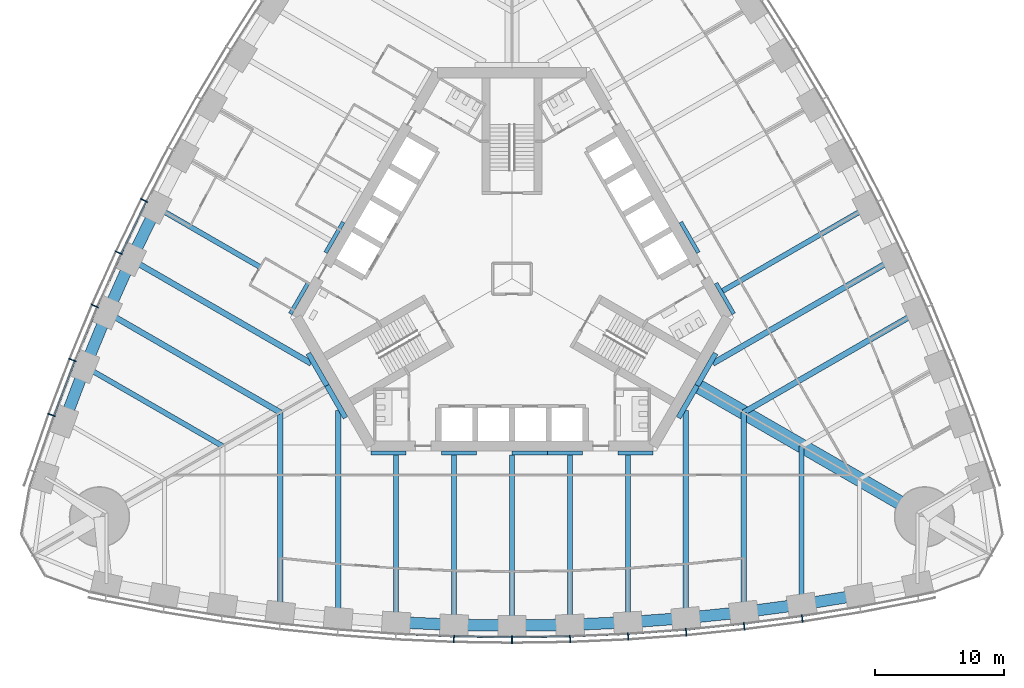
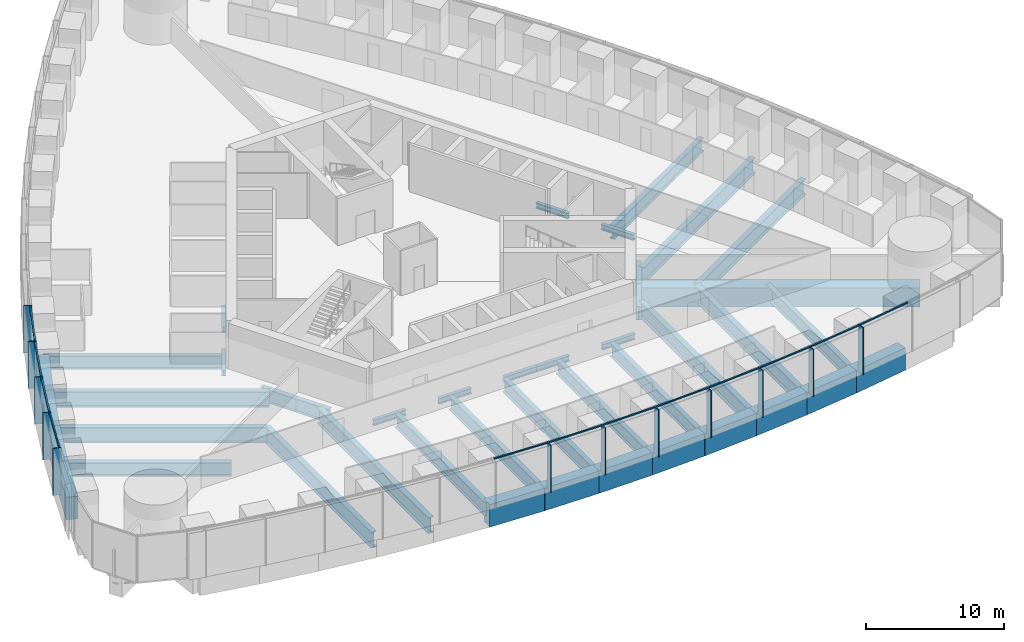
# One storey, part 3 of 18: 43 beams, 24 members, 2 elements without a shape of their own.
"""IFC4 building model written with IfcOpenShell, lengths in metres."""

from ifc_helpers import new_model, si_unit, direction, frame, origin, origin_2d, place, context, subcontext, project, spatial, rectangle, i_section, extrude, material, material_profile, profile_set, type_object, element, aggregate, save


model = new_model("IFC4")

# Units and contexts
model_context = context("Model", 3, precision=1e-05, world=origin(), true_north=direction((0.0, 1.0)))
body_context = subcontext(model_context, "Body", "Model", "MODEL_VIEW")
ifc_project = project(units=[si_unit("LENGTHUNIT", "METRE"), si_unit("AREAUNIT", "SQUARE_METRE"), si_unit("VOLUMEUNIT", "CUBIC_METRE"), si_unit("PLANEANGLEUNIT", "RADIAN"), si_unit("MASSUNIT", "GRAM", prefix="KILO")], contexts=[model_context])

# Site, building, storey
site_placement = place(None, origin())
site = spatial("IfcSite", under=ifc_project, at=site_placement, CompositionType="ELEMENT")
building_placement = place(site_placement, origin())
building = spatial("IfcBuilding", under=site, at=building_placement, Name="Trefoil Bronze Tower", CompositionType="ELEMENT")
storey_placement = place(building_placement, frame((0.0, 0.0, 62.699951171875)))
storey = spatial("IfcBuildingStorey", under=building, at=storey_placement, Name="L14", CompositionType="ELEMENT", Elevation=62.699951171875)

# Curtain wall, members
ifc_material_1 = material(Name="Tinted solar-control glass", Category="glass")
curtain_wall_type = type_object("IfcCurtainWallType", Name="Bronze office curtain wall", PredefinedType="USERDEFINED", material=ifc_material_1)
curtain_wall_1_placement = place(storey_placement, origin())
curtain_wall_1 = element("IfcCurtainWall", 1, at=curtain_wall_1_placement, inside=storey, type_object=curtain_wall_type, Name="CW-A L14 F1", ObjectType="CURTAIN WALL", PredefinedType="USERDEFINED")
ifc_material_2 = material(Name="Bronze-finish aluminium", Category="aluminium")
ifc_material_profile_1 = material_profile(ifc_material_2, rectangle(XDim=0.60009765625, YDim=0.080078125, at=origin_2d()), Name="CW-A mullion")
ifc_profile_set_1 = profile_set([ifc_material_profile_1], Name="Bronze-finish aluminium")
member_type_1 = type_object("IfcMemberType", Name="Bronze office curtain wall mullion", PredefinedType="MULLION", material=ifc_profile_set_1)
member_1_placement = place(storey_placement, frame((-4.5087890625, -27.9833984375, 0.0), z_axis=(0.0, 0.0, 1.0), x_axis=(0.029021671584, 0.999578782577, 0.0)))
member_1 = element("IfcMember", 2, at=member_1_placement, type_object=member_type_1, Name="CW-A L14 F1 mullion 8", PredefinedType="MULLION", context=body_context, shape_type="SweptSolid", body=[
    extrude(rectangle(XDim=0.60009765625, YDim=0.080078125, at=origin_2d()), origin(), (0.0, 0.0, 1.0), 4.179931640625),
])
member_2_placement = place(storey_placement, frame((0.0, -28.048828125, 0.0), z_axis=(0.0, 0.0, 1.0), x_axis=(0.0, 1.0, 0.0)))
member_2 = element("IfcMember", 3, at=member_2_placement, type_object=member_type_1, Name="CW-A L14 F1 mullion 9", PredefinedType="MULLION", context=body_context, shape_type="SweptSolid", body=[
    extrude(rectangle(XDim=0.60009765625, YDim=0.080078125, at=origin_2d()), origin(), (0.0, 0.0, 1.0), 4.179931640625),
])
member_3_placement = place(storey_placement, frame((4.5087890625, -27.9833984375, 0.0), z_axis=(0.0, 0.0, 1.0), x_axis=(-0.029021671584, 0.999578782577, 0.0)))
member_3 = element("IfcMember", 4, at=member_3_placement, type_object=member_type_1, Name="CW-A L14 F1 mullion 10", PredefinedType="MULLION", context=body_context, shape_type="SweptSolid", body=[
    extrude(rectangle(XDim=0.60009765625, YDim=0.080078125, at=origin_2d()), origin(), (0.0, 0.0, 1.0), 4.179931640625),
])
member_4_placement = place(storey_placement, frame((9.017333984375, -27.786865234375, 0.0), z_axis=(0.0, 0.0, 1.0), x_axis=(-0.058043374207, 0.998314062162, 0.0)))
member_4 = element("IfcMember", 5, at=member_4_placement, type_object=member_type_1, Name="CW-A L14 F1 mullion 11", PredefinedType="MULLION", context=body_context, shape_type="SweptSolid", body=[
    extrude(rectangle(XDim=0.60009765625, YDim=0.080078125, at=origin_2d()), origin(), (0.0, 0.0, 1.0), 4.179931640625),
])
member_5_placement = place(storey_placement, frame((13.526123046875, -27.458984375, 0.0), z_axis=(0.0, 0.0, 1.0), x_axis=(-0.087065139456, 0.996202620701, 0.0)))
member_5 = element("IfcMember", 6, at=member_5_placement, type_object=member_type_1, Name="CW-A L14 F1 mullion 12", PredefinedType="MULLION", context=body_context, shape_type="SweptSolid", body=[
    extrude(rectangle(XDim=0.60009765625, YDim=0.080078125, at=origin_2d()), origin(), (0.0, 0.0, 1.0), 4.179931640625),
])
member_6_placement = place(storey_placement, frame((18.034912109375, -26.99853515625, 0.0), z_axis=(0.0, 0.0, 1.0), x_axis=(-0.116086999973, 0.993239048989, 0.0)))
member_6 = element("IfcMember", 7, at=member_6_placement, type_object=member_type_1, Name="CW-A L14 F1 mullion 13", PredefinedType="MULLION", context=body_context, shape_type="SweptSolid", body=[
    extrude(rectangle(XDim=0.60009765625, YDim=0.080078125, at=origin_2d()), origin(), (0.0, 0.0, 1.0), 4.179931640625),
])
member_7_placement = place(storey_placement, frame((22.54345703125, -26.40478515625, 0.0), z_axis=(0.0, 0.0, 1.0), x_axis=(-0.145108990094, 0.989415676546, 0.0)))
member_7 = element("IfcMember", 8, at=member_7_placement, type_object=member_type_1, Name="CW-A L14 F1 mullion 14", PredefinedType="MULLION", context=body_context, shape_type="SweptSolid", body=[
    extrude(rectangle(XDim=0.60009765625, YDim=0.080078125, at=origin_2d()), origin(), (0.0, 0.0, 1.0), 4.179931640625),
])

curtain_wall_2_placement = place(storey_placement, origin())
curtain_wall_2 = element("IfcCurtainWall", 9, at=curtain_wall_2_placement, inside=storey, type_object=curtain_wall_type, Name="CW-A L14 F3", ObjectType="CURTAIN WALL", PredefinedType="USERDEFINED")
member_8_placement = place(storey_placement, frame((-28.57275390625, 6.084228515625, 0.0), z_axis=(0.0, 0.0, 1.0), x_axis=(0.893587025891, -0.448889994497, 0.0)))
member_8 = element("IfcMember", 10, at=member_8_placement, type_object=member_type_1, Name="CW-A L14 F3 mullion 11", PredefinedType="MULLION", context=body_context, shape_type="SweptSolid", body=[
    extrude(rectangle(XDim=0.60009765625, YDim=0.080078125, at=origin_2d()), origin(), (0.0, 0.0, 1.0), 4.179931640625),
])
member_9_placement = place(storey_placement, frame((-30.543212890625, 2.015380859375, 0.0), z_axis=(0.0, 0.0, 1.0), x_axis=(0.906269346572, -0.422700687798, 0.0)))
member_9 = element("IfcMember", 11, at=member_9_placement, type_object=member_type_1, Name="CW-A L14 F3 mullion 12", PredefinedType="MULLION", context=body_context, shape_type="SweptSolid", body=[
    extrude(rectangle(XDim=0.60009765625, YDim=0.080078125, at=origin_2d()), origin(), (0.0, 0.0, 1.0), 4.179931640625),
])
member_10_placement = place(storey_placement, frame((-32.39892578125, -2.119384765625, 0.0), z_axis=(0.0, 0.0, 1.0), x_axis=(0.918213748442, -0.396085233469, 0.0)))
member_10 = element("IfcMember", 12, at=member_10_placement, type_object=member_type_1, Name="CW-A L14 F3 mullion 13", PredefinedType="MULLION", context=body_context, shape_type="SweptSolid", body=[
    extrude(rectangle(XDim=0.60009765625, YDim=0.080078125, at=origin_2d()), origin(), (0.0, 0.0, 1.0), 4.179931640625),
])
member_11_placement = place(storey_placement, frame((-34.138916015625, -6.32080078125, 0.0), z_axis=(0.0, 0.0, 1.0), x_axis=(0.929413605838, -0.369039766534, 0.0)))
member_11 = element("IfcMember", 13, at=member_11_placement, type_object=member_type_1, Name="CW-A L14 F3 mullion 14", PredefinedType="MULLION", context=body_context, shape_type="SweptSolid", body=[
    extrude(rectangle(XDim=0.60009765625, YDim=0.080078125, at=origin_2d()), origin(), (0.0, 0.0, 1.0), 4.179931640625),
])
member_12_placement = place(storey_placement, frame((-35.761962890625, -10.590087890625, 0.0), z_axis=(0.0, 0.0, 1.0), x_axis=(0.939860248316, -0.341559238839, 0.0)))
member_12 = element("IfcMember", 14, at=member_12_placement, type_object=member_type_1, Name="CW-A L14 F3 mullion 15", PredefinedType="MULLION", context=body_context, shape_type="SweptSolid", body=[
    extrude(rectangle(XDim=0.60009765625, YDim=0.080078125, at=origin_2d()), origin(), (0.0, 0.0, 1.0), 4.179931640625),
])

# Member
ifc_material_3 = material(Name="Bronze-finish aluminium", Category="aluminium")
ifc_material_profile_2 = material_profile(ifc_material_3, rectangle(XDim=0.1201171875, YDim=0.10009765625, at=origin_2d()), Name="CW-A transom")
ifc_profile_set_2 = profile_set([ifc_material_profile_2], Name="Bronze-finish aluminium")
member_type_2 = type_object("IfcMemberType", Name="Bronze office curtain wall transom", PredefinedType="USERDEFINED", material=ifc_profile_set_2)
member_13_placement = place(storey_placement, frame((-8.96435546875, -27.589111328125, 4.130126953125), z_axis=(0.999054074786, -0.043485119914, 0.0), x_axis=(0.043485119914, 0.999054074786, 0.0)))
member_13 = element("IfcMember", 15, at=member_13_placement, type_object=member_type_2, Name="CW-A L14 F1 transom 7", ObjectType="TRANSOM", PredefinedType="USERDEFINED", context=body_context, shape_type="SweptSolid", body=[
    extrude(rectangle(XDim=0.1201171875, YDim=0.10009765625, at=origin_2d()), origin(), (0.0, 0.0, 1.0), 4.424072265625),
])

member_14_placement = place(storey_placement, frame((-4.46142578125, -27.783935546875, 4.130126953125), z_axis=(0.999894497273, -0.014525643658, 0.0), x_axis=(0.014525643658, 0.999894497273, 0.0)))
member_14 = element("IfcMember", 16, at=member_14_placement, type_object=member_type_2, Name="CW-A L14 F1 transom 8", ObjectType="TRANSOM", PredefinedType="USERDEFINED", context=body_context, shape_type="SweptSolid", body=[
    extrude(rectangle(XDim=0.1201171875, YDim=0.10009765625, at=origin_2d()), origin(), (0.0, 0.0, 1.0), 4.42041015625),
])

member_15_placement = place(storey_placement, frame((0.04150390625, -27.84814453125, 4.130126953125), z_axis=(0.999894497273, 0.014525643658, 0.0), x_axis=(-0.014525643658, 0.999894497273, 0.0)))
member_15 = element("IfcMember", 17, at=member_15_placement, type_object=member_type_2, Name="CW-A L14 F1 transom 9", ObjectType="TRANSOM", PredefinedType="USERDEFINED", context=body_context, shape_type="SweptSolid", body=[
    extrude(rectangle(XDim=0.1201171875, YDim=0.10009765625, at=origin_2d()), origin(), (0.0, 0.0, 1.0), 4.42041015625),
])

member_16_placement = place(storey_placement, frame((4.54443359375, -27.781494140625, 4.130126953125), z_axis=(0.999054074786, 0.043485119914, 0.0), x_axis=(-0.043485119914, 0.999054074786, 0.0)))
member_16 = element("IfcMember", 18, at=member_16_placement, type_object=member_type_2, Name="CW-A L14 F1 transom 10", ObjectType="TRANSOM", PredefinedType="USERDEFINED", context=body_context, shape_type="SweptSolid", body=[
    extrude(rectangle(XDim=0.1201171875, YDim=0.10009765625, at=origin_2d()), origin(), (0.0, 0.0, 1.0), 4.424072265625),
])

member_17_placement = place(storey_placement, frame((9.047119140625, -27.584228515625, 4.130126953125), z_axis=(0.997364729945, 0.07255064067, 0.0), x_axis=(-0.07255064067, 0.997364729945, 0.0)))
member_17 = element("IfcMember", 19, at=member_17_placement, type_object=member_type_2, Name="CW-A L14 F1 transom 11", ObjectType="TRANSOM", PredefinedType="USERDEFINED", context=body_context, shape_type="SweptSolid", body=[
    extrude(rectangle(XDim=0.1201171875, YDim=0.10009765625, at=origin_2d()), origin(), (0.0, 0.0, 1.0), 4.431884765625),
])

member_18_placement = place(storey_placement, frame((13.550048828125, -27.25537109375, 4.130126953125), z_axis=(0.994831650915, 0.101538102888, 0.0), x_axis=(-0.101538102888, 0.994831650915, 0.0)))
member_18 = element("IfcMember", 20, at=member_18_placement, type_object=member_type_2, Name="CW-A L14 F1 transom 12", ObjectType="TRANSOM", PredefinedType="USERDEFINED", context=body_context, shape_type="SweptSolid", body=[
    extrude(rectangle(XDim=0.1201171875, YDim=0.10009765625, at=origin_2d()), origin(), (0.0, 0.0, 1.0), 4.443359375),
])

member_19_placement = place(storey_placement, frame((18.052734375, -26.79443359375, 4.130126953125), z_axis=(0.991436581643, 0.13058906761, 0.0), x_axis=(-0.13058906761, 0.991436581643, 0.0)))
member_19 = element("IfcMember", 21, at=member_19_placement, type_object=member_type_2, Name="CW-A L14 F1 transom 13", ObjectType="TRANSOM", PredefinedType="USERDEFINED", context=body_context, shape_type="SweptSolid", body=[
    extrude(rectangle(XDim=0.1201171875, YDim=0.10009765625, at=origin_2d()), origin(), (0.0, 0.0, 1.0), 4.458740234375),
])

member_20_placement = place(storey_placement, frame((22.555419921875, -26.2001953125, 4.130126953125), z_axis=(0.987179401487, 0.159614627398, 0.0), x_axis=(-0.159614627398, 0.987179401487, 0.0)))
member_20 = element("IfcMember", 22, at=member_20_placement, type_object=member_type_2, Name="CW-A L14 F1 transom 14", ObjectType="TRANSOM", PredefinedType="USERDEFINED", context=body_context, shape_type="SweptSolid", body=[
    extrude(rectangle(XDim=0.1201171875, YDim=0.10009765625, at=origin_2d()), origin(), (0.0, 0.0, 1.0), 4.478515625),
])

aggregate(curtain_wall_1, [member_1, member_2, member_3, member_4, member_5, member_6, member_7, member_13, member_14, member_15, member_16, member_17, member_18, member_19, member_20])

member_21_placement = place(storey_placement, frame((-28.412109375, 5.95703125, 4.130126953125), z_axis=(-0.435851763293, -0.900018466719, 0.0), x_axis=(0.900018466719, -0.435851763293, 0.0)))
member_21 = element("IfcMember", 23, at=member_21_placement, type_object=member_type_2, Name="CW-A L14 F3 transom 11", ObjectType="TRANSOM", PredefinedType="USERDEFINED", context=body_context, shape_type="SweptSolid", body=[
    extrude(rectangle(XDim=0.1201171875, YDim=0.10009765625, at=origin_2d()), origin(), (0.0, 0.0, 1.0), 4.431884765625),
])

member_22_placement = place(storey_placement, frame((-30.37890625, 1.89306640625, 4.130126953125), z_axis=(-0.409459746452, -0.912328184392, 0.0), x_axis=(0.912328184392, -0.409459746452, 0.0)))
member_22 = element("IfcMember", 24, at=member_22_placement, type_object=member_type_2, Name="CW-A L14 F3 transom 12", ObjectType="TRANSOM", PredefinedType="USERDEFINED", context=body_context, shape_type="SweptSolid", body=[
    extrude(rectangle(XDim=0.1201171875, YDim=0.10009765625, at=origin_2d()), origin(), (0.0, 0.0, 1.0), 4.443359375),
])

member_23_placement = place(storey_placement, frame((-32.231201171875, -2.23681640625, 4.130126953125), z_axis=(-0.382616149417, -0.923907399151, 0.0), x_axis=(0.923907399151, -0.382616149417, 0.0)))
member_23 = element("IfcMember", 25, at=member_23_placement, type_object=member_type_2, Name="CW-A L14 F3 transom 13", ObjectType="TRANSOM", PredefinedType="USERDEFINED", context=body_context, shape_type="SweptSolid", body=[
    extrude(rectangle(XDim=0.1201171875, YDim=0.10009765625, at=origin_2d()), origin(), (0.0, 0.0, 1.0), 4.458984375),
])

member_24_placement = place(storey_placement, frame((-33.9677734375, -6.433349609375, 4.130126953125), z_axis=(-0.355367327392, -0.934726731522, 0.0), x_axis=(0.934726731522, -0.355367327392, 0.0)))
member_24 = element("IfcMember", 26, at=member_24_placement, type_object=member_type_2, Name="CW-A L14 F3 transom 14", ObjectType="TRANSOM", PredefinedType="USERDEFINED", context=body_context, shape_type="SweptSolid", body=[
    extrude(rectangle(XDim=0.1201171875, YDim=0.10009765625, at=origin_2d()), origin(), (0.0, 0.0, 1.0), 4.478515625),
])

aggregate(curtain_wall_2, [member_8, member_9, member_10, member_11, member_12, member_21, member_22, member_23, member_24])

# Beams
ifc_material_4 = material(Name="Steel C355", Category="steel")
ifc_material_profile_3 = material_profile(ifc_material_4, i_section(OverallWidth=0.300048828125, OverallDepth=0.5, WebThickness=0.014404296875, FlangeThickness=0.028076171875, FilletRadius=0.027099609375, at=origin_2d()), Name="HEB 500")
ifc_profile_set_3 = profile_set([ifc_material_profile_3], Name="Steel C355")
beam_type_1 = type_object("IfcBeamType", Name="Core seat beam HEB 500", PredefinedType="BEAM", material=ifc_profile_set_3)
for number, where, z_axis, x_axis, name in (
    (27, (-10.9697265625, -13.550048828125, -0.449951171875), (1.0, 0.0, 0.0), (0.0, 1.0, 0.0), "Core seat beam F1/-2 L14"),
    (28, (-5.48486328125, -13.550048828125, -0.449951171875), (1.0, 0.0, 0.0), (0.0, 1.0, 0.0), "Core seat beam F1/-1 L14"),
    (29, (0.0, -13.550048828125, -0.449951171875), (1.0, 0.0, 0.0), (0.0, 1.0, 0.0), "Core seat beam F1/+0 L14"),
    (30, (2.742431640625, -13.550048828125, -0.449951171875), (1.0, 0.0, 0.0), (0.0, 1.0, 0.0), "Core seat beam F1/+1 L14"),
    (31, (8.227294921875, -13.550048828125, -0.449951171875), (1.0, 0.0, 0.0), (0.0, 1.0, 0.0), "Core seat beam F1/+2 L14"),
    (32, (17.219482421875, -2.72509765625, -0.449951171875), (-0.500035825175, 0.866004719122, 0.0), (-0.866004719122, -0.500035825175, 0.0), "Core seat beam F2/-2 L14"),
    (33, (14.47705078125, 2.02490234375, -0.449951171875), (-0.499969057507, 0.866043267704, 0.0), (-0.866043267704, -0.499969057507, 0.0), "Core seat beam F2/-1 L14"),
    (34, (-13.10595703125, 4.39990234375, -0.449951171875), (-0.499969057507, -0.866043267704, 0.0), (0.866043267704, -0.499969057507, 0.0), "Core seat beam F3/+1 L14"),
    (35, (-15.84814453125, -0.35009765625, -0.449951171875), (-0.500035825175, -0.866004719122, 0.0), (0.866004719122, -0.500035825175, 0.0), "Core seat beam F3/+2 L14"),
):
    element("IfcBeam", number, at=place(storey_placement, frame(where, z_axis=z_axis, x_axis=x_axis)), inside=storey, type_object=beam_type_1, Name=name, PredefinedType="BEAM", context=body_context, shape_type="SweptSolid", body=[
        extrude(i_section(OverallWidth=0.300048828125, OverallDepth=0.5, WebThickness=0.014404296875, FlangeThickness=0.028076171875, FilletRadius=0.027099609375, at=origin_2d()), origin(), (0.0, 0.0, 1.0), 2.742431640625),
    ])
ifc_material_5 = material(Name="Steel C355", Category="steel")
ifc_material_profile_4 = material_profile(ifc_material_5, i_section(OverallWidth=0.39990234375, OverallDepth=1.199951171875, WebThickness=0.02001953125, FlangeThickness=0.0400390625, FilletRadius=0.010009765625, at=origin_2d()), Name="WPG 1200")
ifc_profile_set_4 = profile_set([ifc_material_profile_4], Name="Steel C355")
beam_type_2 = type_object("IfcBeamType", Name="Core seat beam WPG 1200", PredefinedType="BEAM", material=ifc_profile_set_4)
for number, where, z_axis, x_axis, name in (
    (36, (-14.3759765625, -8.300048828125, -0.800048828125), (0.499995765644, -0.866027848477, 0.0), (0.866027848477, 0.499995765644, 0.0), "Core seat beam F1/-3 L14"),
    (37, (12.9326171875, -10.800048828125, -0.800048828125), (0.499995765644, 0.866027848477, 0.0), (-0.866027848477, 0.499995765644, 0.0), "Core seat beam F1/+3 L14"),
    (38, (14.3759765625, -8.300048828125, -0.800048828125), (0.499995765644, 0.866027848477, 0.0), (-0.866027848477, 0.499995765644, 0.0), "Core seat beam F2/-3 L14"),
    (39, (-15.8193359375, -5.800048828125, -0.800048828125), (0.499995765644, -0.866027848477, 0.0), (0.866027848477, 0.499995765644, 0.0), "Core seat beam F3/+3 L14"),
):
    element("IfcBeam", number, at=place(storey_placement, frame(where, z_axis=z_axis, x_axis=x_axis)), inside=storey, type_object=beam_type_2, Name=name, PredefinedType="BEAM", context=body_context, shape_type="SweptSolid", body=[
        extrude(i_section(OverallWidth=0.39990234375, OverallDepth=1.199951171875, WebThickness=0.02001953125, FlangeThickness=0.0400390625, FilletRadius=0.010009765625, at=origin_2d()), origin(), (0.0, 0.0, 1.0), 2.88671875),
    ])
ifc_material_6 = material(Name="Concrete B80", Category="concrete")
ifc_material_profile_5 = material_profile(ifc_material_6, rectangle(XDim=1.10009765625, YDim=1.699951171875, at=origin_2d()), Name="RC 1100x1700")
ifc_profile_set_5 = profile_set([ifc_material_profile_5], Name="Concrete B80")
beam_type_3 = type_object("IfcBeamType", Name="Corner girder RC 1100x1700", PredefinedType="BEAM", material=ifc_profile_set_5)
beam_1_placement = place(storey_placement, frame((14.202880859375, -8.199951171875, -1.050048828125), z_axis=(0.866023947468, -0.500002522405, 0.0), x_axis=(0.500002522405, 0.866023947468, 0.0)))
element("IfcBeam", 40, at=beam_1_placement, inside=storey, type_object=beam_type_3, Name="Corner girder K1 L14", PredefinedType="BEAM", context=body_context, shape_type="SweptSolid", body=[
    extrude(rectangle(XDim=1.10009765625, YDim=1.699951171875, at=origin_2d()), origin(), (0.0, 0.0, 1.0), 20.60009765625),
])
ifc_material_7 = material(Name="Steel C355", Category="steel")
ifc_material_profile_6 = material_profile(ifc_material_7, i_section(OverallWidth=0.39990234375, OverallDepth=1.199951171875, WebThickness=0.02001953125, FlangeThickness=0.0400390625, FilletRadius=0.010009765625, at=origin_2d()), Name="WPG 1200")
ifc_profile_set_6 = profile_set([ifc_material_profile_6], Name="Steel C355")
beam_type_4 = type_object("IfcBeamType", Name="Floor beam WPG 1200", PredefinedType="BEAM", material=ifc_profile_set_6)
beam_2_placement = place(storey_placement, frame((-9.0, -26.68603515625, -0.800048828125), z_axis=(0.0, 1.0, 0.0), x_axis=(-1.0, 0.0, 0.0)))
element("IfcBeam", 41, at=beam_2_placement, inside=storey, type_object=beam_type_4, Name="Floor beam F1/-2 L14", PredefinedType="BEAM", context=body_context, shape_type="SweptSolid", body=[
    extrude(i_section(OverallWidth=0.39990234375, OverallDepth=1.199951171875, WebThickness=0.02001953125, FlangeThickness=0.0400390625, FilletRadius=0.010009765625, at=origin_2d()), origin(), (0.0, 0.0, 1.0), 12.986083984375),
])
beam_3_placement = place(storey_placement, frame((-4.5, -26.883056640625, -0.800048828125), z_axis=(0.0, 1.0, 0.0), x_axis=(-1.0, 0.0, 0.0)))
element("IfcBeam", 42, at=beam_3_placement, inside=storey, type_object=beam_type_4, Name="Floor beam F1/-1 L14", PredefinedType="BEAM", context=body_context, shape_type="SweptSolid", body=[
    extrude(i_section(OverallWidth=0.39990234375, OverallDepth=1.199951171875, WebThickness=0.02001953125, FlangeThickness=0.0400390625, FilletRadius=0.010009765625, at=origin_2d()), origin(), (0.0, 0.0, 1.0), 13.18310546875),
])
beam_4_placement = place(storey_placement, frame((0.0, -26.94873046875, -0.800048828125), z_axis=(0.0, 1.0, 0.0), x_axis=(-1.0, 0.0, 0.0)))
element("IfcBeam", 43, at=beam_4_placement, inside=storey, type_object=beam_type_4, Name="Floor beam F1/+0 L14", PredefinedType="BEAM", context=body_context, shape_type="SweptSolid", body=[
    extrude(i_section(OverallWidth=0.39990234375, OverallDepth=1.199951171875, WebThickness=0.02001953125, FlangeThickness=0.0400390625, FilletRadius=0.010009765625, at=origin_2d()), origin(), (0.0, 0.0, 1.0), 13.248779296875),
])
beam_5_placement = place(storey_placement, frame((4.5, -26.883056640625, -0.800048828125), z_axis=(0.0, 1.0, 0.0), x_axis=(-1.0, 0.0, 0.0)))
element("IfcBeam", 44, at=beam_5_placement, inside=storey, type_object=beam_type_4, Name="Floor beam F1/+1 L14", PredefinedType="BEAM", context=body_context, shape_type="SweptSolid", body=[
    extrude(i_section(OverallWidth=0.39990234375, OverallDepth=1.199951171875, WebThickness=0.02001953125, FlangeThickness=0.0400390625, FilletRadius=0.010009765625, at=origin_2d()), origin(), (0.0, 0.0, 1.0), 13.18310546875),
])
beam_6_placement = place(storey_placement, frame((9.0, -26.68603515625, -0.800048828125), z_axis=(0.0, 1.0, 0.0), x_axis=(-1.0, 0.0, 0.0)))
element("IfcBeam", 45, at=beam_6_placement, inside=storey, type_object=beam_type_4, Name="Floor beam F1/+2 L14", PredefinedType="BEAM", context=body_context, shape_type="SweptSolid", body=[
    extrude(i_section(OverallWidth=0.39990234375, OverallDepth=1.199951171875, WebThickness=0.02001953125, FlangeThickness=0.0400390625, FilletRadius=0.010009765625, at=origin_2d()), origin(), (0.0, 0.0, 1.0), 12.986083984375),
])
beam_7_placement = place(storey_placement, frame((22.5, -25.29931640625, -0.800048828125), z_axis=(0.0, 1.0, 0.0), x_axis=(-1.0, 0.0, 0.0)))
element("IfcBeam", 46, at=beam_7_placement, inside=storey, type_object=beam_type_4, Name="Floor beam F1/+5 L14", PredefinedType="BEAM", context=body_context, shape_type="SweptSolid", body=[
    extrude(i_section(OverallWidth=0.39990234375, OverallDepth=1.199951171875, WebThickness=0.02001953125, FlangeThickness=0.0400390625, FilletRadius=0.010009765625, at=origin_2d()), origin(), (0.0, 0.0, 1.0), 12.308837890625),
])
for number, where, z_axis, x_axis, name in (
    (47, (27.61083984375, 5.548828125, -0.800048828125), (-0.866022474361, -0.500005073876, 0.0), (0.500005073876, -0.866022474361, 0.0), "Floor beam F2/-2 L14"),
    (48, (-27.61083984375, 5.548828125, -0.800048828125), (0.866022474361, -0.500005073876, 0.0), (0.500005073876, 0.866022474361, 0.0), "Floor beam F3/+2 L14"),
):
    element("IfcBeam", number, at=place(storey_placement, frame(where, z_axis=z_axis, x_axis=x_axis)), inside=storey, type_object=beam_type_4, Name=name, PredefinedType="BEAM", context=body_context, shape_type="SweptSolid", body=[
        extrude(i_section(OverallWidth=0.39990234375, OverallDepth=1.199951171875, WebThickness=0.02001953125, FlangeThickness=0.0400390625, FilletRadius=0.010009765625, at=origin_2d()), origin(), (0.0, 0.0, 1.0), 12.986083984375),
    ])
beam_8_placement = place(storey_placement, frame((-33.159912109375, -6.8359375, -0.800048828125), z_axis=(0.866024070878, -0.500002308654, 0.0), x_axis=(0.500002308654, 0.866024070878, 0.0)))
element("IfcBeam", 49, at=beam_8_placement, inside=storey, type_object=beam_type_4, Name="Floor beam F3/+5 L14", PredefinedType="BEAM", context=body_context, shape_type="SweptSolid", body=[
    extrude(i_section(OverallWidth=0.39990234375, OverallDepth=1.199951171875, WebThickness=0.02001953125, FlangeThickness=0.0400390625, FilletRadius=0.010009765625, at=origin_2d()), origin(), (0.0, 0.0, 1.0), 12.30908203125),
])
ifc_material_8 = material(Name="Steel C355", Category="steel")
ifc_material_profile_7 = material_profile(ifc_material_8, i_section(OverallWidth=0.449951171875, OverallDepth=1.39990234375, WebThickness=0.02294921875, FlangeThickness=0.044921875, FilletRadius=0.011962890625, at=origin_2d()), Name="WPG 1400")
ifc_profile_set_7 = profile_set([ifc_material_profile_7], Name="Steel C355")
beam_type_5 = type_object("IfcBeamType", Name="Floor beam WPG 1400", PredefinedType="BEAM", material=ifc_profile_set_7)
beam_9_placement = place(storey_placement, frame((-18.0, -25.895263671875, -0.89990234375), z_axis=(0.0, 1.0, 0.0), x_axis=(-1.0, 0.0, 0.0)))
element("IfcBeam", 50, at=beam_9_placement, inside=storey, type_object=beam_type_5, Name="Floor beam F1/-4 L14", PredefinedType="BEAM", context=body_context, shape_type="SweptSolid", body=[
    extrude(i_section(OverallWidth=0.449951171875, OverallDepth=1.39990234375, WebThickness=0.02294921875, FlangeThickness=0.044921875, FilletRadius=0.011962890625, at=origin_2d()), origin(), (0.0, 0.0, 1.0), 15.5029296875),
])
for number, where, z_axis, x_axis, name in (
    (51, (-13.5, -26.35693359375, -0.89990234375), (0.0, 1.0, 0.0), (-1.0, 0.0, 0.0), "Floor beam F1/-3 L14"),
    (52, (13.5, -26.35693359375, -0.89990234375), (0.0, 1.0, 0.0), (-1.0, 0.0, 0.0), "Floor beam F1/+3 L14"),
):
    element("IfcBeam", number, at=place(storey_placement, frame(where, z_axis=z_axis, x_axis=x_axis)), inside=storey, type_object=beam_type_5, Name=name, PredefinedType="BEAM", context=body_context, shape_type="SweptSolid", body=[
        extrude(i_section(OverallWidth=0.449951171875, OverallDepth=1.39990234375, WebThickness=0.02294921875, FlangeThickness=0.044921875, FilletRadius=0.011962890625, at=origin_2d()), origin(), (0.0, 0.0, 1.0), 16.1396484375),
    ])
beam_10_placement = place(storey_placement, frame((18.0, -25.895263671875, -0.89990234375), z_axis=(0.0, 1.0, 0.0), x_axis=(-1.0, 0.0, 0.0)))
element("IfcBeam", 53, at=beam_10_placement, inside=storey, type_object=beam_type_5, Name="Floor beam F1/+4 L14", PredefinedType="BEAM", context=body_context, shape_type="SweptSolid", body=[
    extrude(i_section(OverallWidth=0.449951171875, OverallDepth=1.39990234375, WebThickness=0.02294921875, FlangeThickness=0.044921875, FilletRadius=0.011962890625, at=origin_2d()), origin(), (0.0, 0.0, 1.0), 15.5029296875),
])
beam_11_placement = place(storey_placement, frame((31.42578125, -2.640869140625, -0.89990234375), z_axis=(-0.866022989816, -0.500004181093, 0.0), x_axis=(0.500004181093, -0.866022989816, 0.0)))
element("IfcBeam", 54, at=beam_11_placement, inside=storey, type_object=beam_type_5, Name="Floor beam F2/-4 L14", PredefinedType="BEAM", context=body_context, shape_type="SweptSolid", body=[
    extrude(i_section(OverallWidth=0.449951171875, OverallDepth=1.39990234375, WebThickness=0.02294921875, FlangeThickness=0.044921875, FilletRadius=0.011962890625, at=origin_2d()), origin(), (0.0, 0.0, 1.0), 15.502685546875),
])
for number, where, z_axis, x_axis, name in (
    (55, (29.575927734375, 1.487060546875, -0.89990234375), (-0.866028401131, -0.499994808408, 0.0), (0.499994808408, -0.866028401131, 0.0), "Floor beam F2/-3 L14"),
    (56, (-29.575927734375, 1.487060546875, -0.89990234375), (0.866028401131, -0.499994808408, 0.0), (0.499994808408, 0.866028401131, 0.0), "Floor beam F3/+3 L14"),
):
    element("IfcBeam", number, at=place(storey_placement, frame(where, z_axis=z_axis, x_axis=x_axis)), inside=storey, type_object=beam_type_5, Name=name, PredefinedType="BEAM", context=body_context, shape_type="SweptSolid", body=[
        extrude(i_section(OverallWidth=0.449951171875, OverallDepth=1.39990234375, WebThickness=0.02294921875, FlangeThickness=0.044921875, FilletRadius=0.011962890625, at=origin_2d()), origin(), (0.0, 0.0, 1.0), 16.139892578125),
    ])
beam_12_placement = place(storey_placement, frame((-31.42578125, -2.640869140625, -0.89990234375), z_axis=(0.866022989816, -0.500004181093, 0.0), x_axis=(0.500004181093, 0.866022989816, 0.0)))
element("IfcBeam", 57, at=beam_12_placement, inside=storey, type_object=beam_type_5, Name="Floor beam F3/+4 L14", PredefinedType="BEAM", context=body_context, shape_type="SweptSolid", body=[
    extrude(i_section(OverallWidth=0.449951171875, OverallDepth=1.39990234375, WebThickness=0.02294921875, FlangeThickness=0.044921875, FilletRadius=0.011962890625, at=origin_2d()), origin(), (0.0, 0.0, 1.0), 15.502685546875),
])
ifc_material_9 = material(Name="Concrete B80", Category="concrete")
ifc_material_profile_8 = material_profile(ifc_material_9, rectangle(XDim=0.89990234375, YDim=2.0, at=origin_2d()), Name="RC 900x2000")
ifc_profile_set_8 = profile_set([ifc_material_profile_8], Name="Concrete B80")
beam_type_6 = type_object("IfcBeamType", Name="Spandrel beam RC 900x2000", PredefinedType="SPANDREL", material=ifc_profile_set_8)
beam_13_placement = place(storey_placement, frame((-9.0, -26.68603515625, -1.199951171875), z_axis=(0.999042919826, -0.043740648671, 0.0), x_axis=(0.043740648671, 0.999042919826, 0.0)))
element("IfcBeam", 58, at=beam_13_placement, inside=storey, type_object=beam_type_6, Name="Spandrel F1.7 L14", PredefinedType="SPANDREL", context=body_context, shape_type="SweptSolid", body=[
    extrude(rectangle(XDim=0.89990234375, YDim=2.0, at=origin_2d()), origin(), (0.0, 0.0, 1.0), 4.50439453125),
])
for number, where, z_axis, x_axis, name in (
    (59, (-4.5, -26.883056640625, -1.199951171875), (0.999893521905, -0.014592630067, 0.0), (0.014592630067, 0.999893521905, 0.0), "Spandrel F1.8 L14"),
    (60, (0.0, -26.94873046875, -1.199951171875), (0.999893521905, 0.014592630067, 0.0), (-0.014592630067, 0.999893521905, 0.0), "Spandrel F1.9 L14"),
):
    element("IfcBeam", number, at=place(storey_placement, frame(where, z_axis=z_axis, x_axis=x_axis)), inside=storey, type_object=beam_type_6, Name=name, PredefinedType="SPANDREL", context=body_context, shape_type="SweptSolid", body=[
        extrude(rectangle(XDim=0.89990234375, YDim=2.0, at=origin_2d()), origin(), (0.0, 0.0, 1.0), 4.50048828125),
    ])
beam_14_placement = place(storey_placement, frame((4.5, -26.883056640625, -1.199951171875), z_axis=(0.999042919826, 0.043740648671, 0.0), x_axis=(-0.043740648671, 0.999042919826, 0.0)))
element("IfcBeam", 61, at=beam_14_placement, inside=storey, type_object=beam_type_6, Name="Spandrel F1.10 L14", PredefinedType="SPANDREL", context=body_context, shape_type="SweptSolid", body=[
    extrude(rectangle(XDim=0.89990234375, YDim=2.0, at=origin_2d()), origin(), (0.0, 0.0, 1.0), 4.50439453125),
])
beam_15_placement = place(storey_placement, frame((9.0, -26.68603515625, -1.199951171875), z_axis=(0.997336412354, 0.072938882588, 0.0), x_axis=(-0.072938882588, 0.997336412354, 0.0)))
element("IfcBeam", 62, at=beam_15_placement, inside=storey, type_object=beam_type_6, Name="Spandrel F1.11 L14", PredefinedType="SPANDREL", context=body_context, shape_type="SweptSolid", body=[
    extrude(rectangle(XDim=0.89990234375, YDim=2.0, at=origin_2d()), origin(), (0.0, 0.0, 1.0), 4.511962890625),
])
beam_16_placement = place(storey_placement, frame((13.5, -26.35693359375, -1.199951171875), z_axis=(0.994778488621, 0.102057623805, 0.0), x_axis=(-0.102057623805, 0.994778488621, 0.0)))
element("IfcBeam", 63, at=beam_16_placement, inside=storey, type_object=beam_type_6, Name="Spandrel F1.12 L14", PredefinedType="SPANDREL", context=body_context, shape_type="SweptSolid", body=[
    extrude(rectangle(XDim=0.89990234375, YDim=2.0, at=origin_2d()), origin(), (0.0, 0.0, 1.0), 4.523681640625),
])
beam_17_placement = place(storey_placement, frame((18.0, -25.895263671875, -1.199951171875), z_axis=(0.991344474846, 0.131286450906, 0.0), x_axis=(-0.131286450906, 0.991344474846, 0.0)))
element("IfcBeam", 64, at=beam_17_placement, inside=storey, type_object=beam_type_6, Name="Spandrel F1.13 L14", PredefinedType="SPANDREL", context=body_context, shape_type="SweptSolid", body=[
    extrude(rectangle(XDim=0.89990234375, YDim=2.0, at=origin_2d()), origin(), (0.0, 0.0, 1.0), 4.539306640625),
])
beam_18_placement = place(storey_placement, frame((22.5, -25.29931640625, -1.199951171875), z_axis=(0.987045951254, 0.160437807615, 0.0), x_axis=(-0.160437807615, 0.987045951254, 0.0)))
element("IfcBeam", 65, at=beam_18_placement, inside=storey, type_object=beam_type_6, Name="Spandrel F1.14 L14", PredefinedType="SPANDREL", context=body_context, shape_type="SweptSolid", body=[
    extrude(rectangle(XDim=0.89990234375, YDim=2.0, at=origin_2d()), origin(), (0.0, 0.0, 1.0), 4.55908203125),
])
beam_19_placement = place(storey_placement, frame((-27.61083984375, 5.548828125, -1.199951171875), z_axis=(-0.435510013583, -0.900183885697, 0.0), x_axis=(0.900183885697, -0.435510013583, 0.0)))
element("IfcBeam", 66, at=beam_19_placement, inside=storey, type_object=beam_type_6, Name="Spandrel F3.11 L14", PredefinedType="SPANDREL", context=body_context, shape_type="SweptSolid", body=[
    extrude(rectangle(XDim=0.89990234375, YDim=2.0, at=origin_2d()), origin(), (0.0, 0.0, 1.0), 4.51220703125),
])
beam_20_placement = place(storey_placement, frame((-29.575927734375, 1.487060546875, -1.199951171875), z_axis=(-0.408945873044, -0.912558640812, 0.0), x_axis=(0.912558640812, -0.408945873044, 0.0)))
element("IfcBeam", 67, at=beam_20_placement, inside=storey, type_object=beam_type_6, Name="Spandrel F3.12 L14", PredefinedType="SPANDREL", context=body_context, shape_type="SweptSolid", body=[
    extrude(rectangle(XDim=0.89990234375, YDim=2.0, at=origin_2d()), origin(), (0.0, 0.0, 1.0), 4.5234375),
])
beam_21_placement = place(storey_placement, frame((-31.42578125, -2.640869140625, -1.199951171875), z_axis=(-0.382020825144, -0.924153715113, 0.0), x_axis=(0.924153715113, -0.382020825144, 0.0)))
element("IfcBeam", 68, at=beam_21_placement, inside=storey, type_object=beam_type_6, Name="Spandrel F3.13 L14", PredefinedType="SPANDREL", context=body_context, shape_type="SweptSolid", body=[
    extrude(rectangle(XDim=0.89990234375, YDim=2.0, at=origin_2d()), origin(), (0.0, 0.0, 1.0), 4.539306640625),
])
beam_22_placement = place(storey_placement, frame((-33.159912109375, -6.8359375, -1.199951171875), z_axis=(-0.354571899767, -0.935028752443, 0.0), x_axis=(0.935028752443, -0.354571899767, 0.0)))
element("IfcBeam", 69, at=beam_22_placement, inside=storey, type_object=beam_type_6, Name="Spandrel F3.14 L14", PredefinedType="SPANDREL", context=body_context, shape_type="SweptSolid", body=[
    extrude(rectangle(XDim=0.89990234375, YDim=2.0, at=origin_2d()), origin(), (0.0, 0.0, 1.0), 4.558837890625),
])

save(model, "model.ifc")
